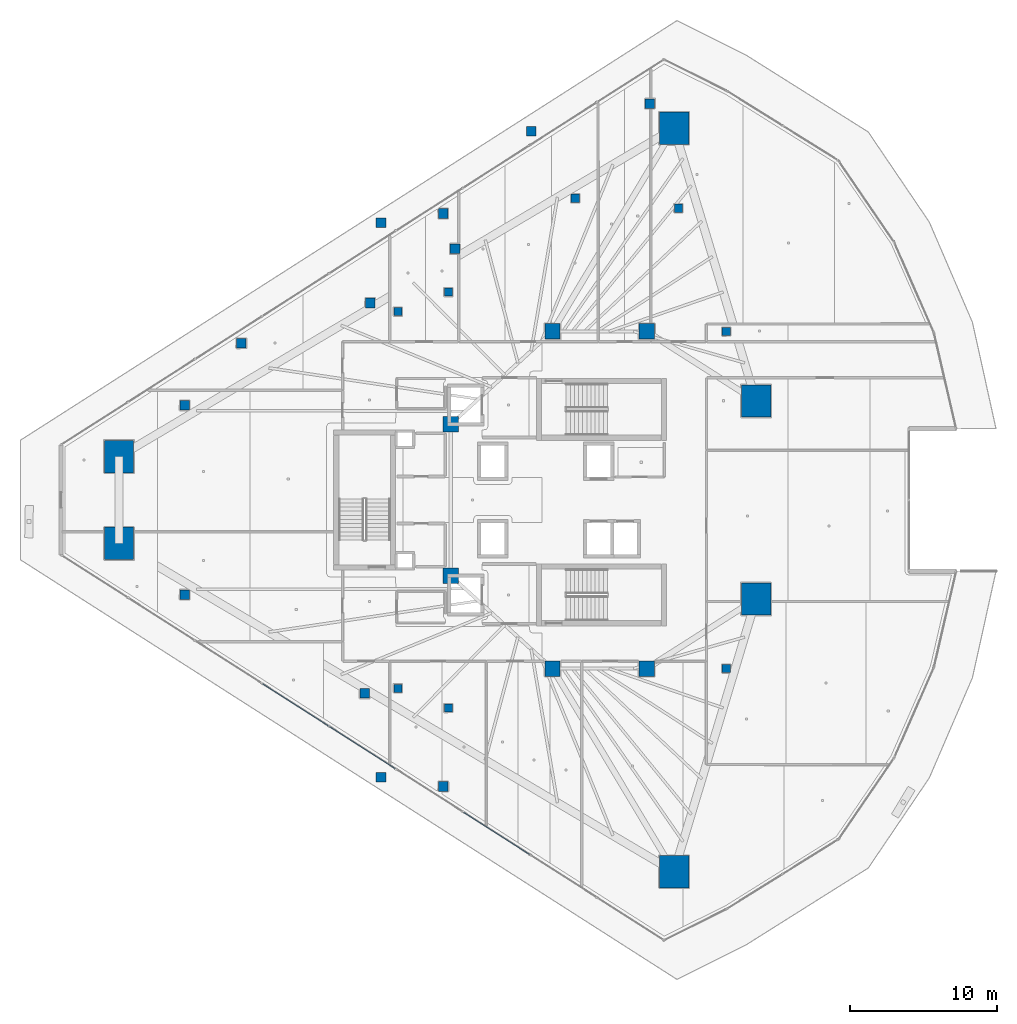
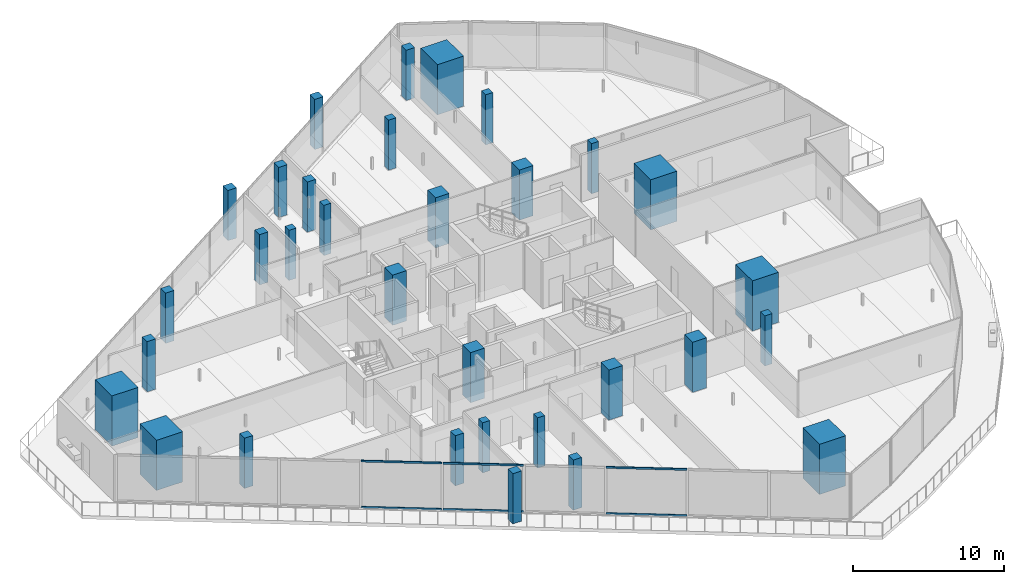
# One storey, part 1 of 38: 32 columns, 6 members, 1 element without a shape of its own.
"""IFC4 building model written with IfcOpenShell, lengths in metres."""

from ifc_helpers import new_model, si_unit, direction, frame, origin, origin_2d, place, context, subcontext, project, spatial, rectangle, hollow_rectangle, extrude, material, layer, layer_set, material_profile, profile_set, type_object, element, aggregate, save


model = new_model("IFC4")

# Units and contexts
model_context = context("Model", 3, precision=1e-05, world=origin(), true_north=direction((0.0, 1.0)))
body_context = subcontext(model_context, "Body", "Model", "MODEL_VIEW")
ifc_project = project(units=[si_unit("LENGTHUNIT", "METRE"), si_unit("AREAUNIT", "SQUARE_METRE"), si_unit("VOLUMEUNIT", "CUBIC_METRE"), si_unit("PLANEANGLEUNIT", "RADIAN"), si_unit("MASSUNIT", "GRAM", prefix="KILO")], contexts=[model_context])

# Site, building, storey
site_placement = place(None, origin())
site = spatial("IfcSite", under=ifc_project, at=site_placement, CompositionType="ELEMENT")
building_placement = place(site_placement, origin())
building = spatial("IfcBuilding", under=site, at=building_placement, Name="Qorvath Tower", CompositionType="ELEMENT")
storey_placement = place(building_placement, frame((0.0, 0.0, 146.25)))
storey = spatial("IfcBuildingStorey", under=building, at=storey_placement, Name="L33", CompositionType="ELEMENT", Elevation=146.25)

# Columns
ifc_material_1 = material(Name="Concrete C70/85", Category="concrete")
ifc_material_profile_1 = material_profile(ifc_material_1, rectangle(XDim=2.0, YDim=2.199951171875, at=origin_2d()), Name="MC 2200x2000")
ifc_profile_set_1 = profile_set([ifc_material_profile_1], Name="Concrete C70/85")
column_type_1 = type_object("IfcColumnType", Name="COL-MC2", PredefinedType="COLUMN", material=ifc_profile_set_1)
for number, where, z_axis, x_axis, name in (
    (1, (-53.04931640625, 2.95068359375, 0.0), (0.0, 0.0, 1.0), (1.0, 0.0, 0.0), "Composite Mega-Column MC1 L33"),
    (2, (-53.04931640625, -2.95068359375, 0.0), (0.0, 0.0, 1.0), (1.0, 0.0, 0.0), "Composite Mega-Column MC2 L33"),
    (3, (-15.34423828125, -25.24609375, 0.0), (0.0, 0.0, 1.0), (1.0, 0.0, 0.0), "Composite Mega-Column MC3 L33"),
    (4, (-9.770263671875, -6.721435546875, 0.0), (0.0, 0.0, 1.0), (1.0, 0.0, 0.0), "Composite Mega-Column MC4 L33"),
    (5, (-9.770263671875, 6.721435546875, 0.0), (0.0, 0.0, 1.0), (1.0, 0.0, 0.0), "Composite Mega-Column MC5 L33"),
    (6, (-15.34423828125, 25.24609375, 0.0), (0.0, 0.0, 1.0), (1.0, 0.0, 0.0), "Composite Mega-Column MC6 L33"),
):
    element("IfcColumn", number, at=place(storey_placement, frame(where, z_axis=z_axis, x_axis=x_axis)), inside=storey, type_object=column_type_1, Name=name, PredefinedType="COLUMN", context=body_context, shape_type="SweptSolid", body=[
        extrude(rectangle(XDim=2.0, YDim=2.199951171875, at=origin_2d()), origin(), (0.0, 0.0, 1.0), 4.050048828125),
    ])
ifc_material_2 = material(Name="Concrete C60/75", Category="concrete")
ifc_material_profile_2 = material_profile(ifc_material_2, rectangle(XDim=1.050048828125, YDim=1.050048828125, at=origin_2d()), Name="RC 1050x1050")
ifc_profile_set_2 = profile_set([ifc_material_profile_2], Name="Concrete C60/75")
column_type_2 = type_object("IfcColumnType", Name="COL-RC2", PredefinedType="COLUMN", material=ifc_profile_set_2)
for number, where, z_axis, x_axis, name in (
    (7, (-23.60009765625, 11.449951171875, 0.0), (0.0, 0.0, 1.0), (1.0, 0.0, 0.0), "Core Spine Column CC1 L33"),
    (8, (-17.199951171875, 11.449951171875, 0.0), (0.0, 0.0, 1.0), (1.0, 0.0, 0.0), "Core Spine Column CC2 L33"),
    (9, (-17.199951171875, -11.449951171875, 0.0), (0.0, 0.0, 1.0), (1.0, 0.0, 0.0), "Core Spine Column CC3 L33"),
    (10, (-23.60009765625, -11.449951171875, 0.0), (0.0, 0.0, 1.0), (1.0, 0.0, 0.0), "Core Spine Column CC4 L33"),
    (11, (-30.5, 5.14990234375, 0.0), (0.0, 0.0, 1.0), (1.0, 0.0, 0.0), "Core Spine Column CC5 L33"),
    (12, (-30.5, -5.14990234375, 0.0), (0.0, 0.0, 1.0), (1.0, 0.0, 0.0), "Core Spine Column CC6 L33"),
):
    element("IfcColumn", number, at=place(storey_placement, frame(where, z_axis=z_axis, x_axis=x_axis)), inside=storey, type_object=column_type_2, Name=name, PredefinedType="COLUMN", context=body_context, shape_type="SweptSolid", body=[
        extrude(rectangle(XDim=1.050048828125, YDim=1.050048828125, at=origin_2d()), origin(), (0.0, 0.0, 1.0), 4.050048828125),
    ])
ifc_material_3 = material(Name="Concrete C45/55", Category="concrete")
ifc_material_profile_3 = material_profile(ifc_material_3, rectangle(XDim=0.64990234375, YDim=0.64990234375, at=origin_2d()), Name="RC 650x650")
ifc_profile_set_3 = profile_set([ifc_material_profile_3], Name="Concrete C45/55")
column_type_3 = type_object("IfcColumnType", Name="COL-RC6", PredefinedType="COLUMN", material=ifc_profile_set_3)
for number, where, z_axis, x_axis, name in (
    (13, (-35.251708984375, 18.829345703125, 0.0), (0.0, 0.0, 1.0), (1.0, 0.0, 0.0), "Loggia Frame Pier Column LGC1 L33"),
    (14, (-35.251708984375, -18.829345703125, 0.0), (0.0, 0.0, 1.0), (1.0, 0.0, 0.0), "Loggia Frame Pier Column LGC2 L33"),
    (15, (-25.03759765625, 25.058837890625, 0.0), (0.0, 0.0, 1.0), (1.0, 0.0, 0.0), "Loggia Frame Pier Column LGC3 L33"),
    (16, (-31.01611328125, 19.46044921875, 0.0), (0.0, 0.0, 1.0), (1.0, 0.0, 0.0), "Loggia Frame Pier Column LGD1 L33"),
    (17, (-31.01611328125, -19.46044921875, 0.0), (0.0, 0.0, 1.0), (1.0, 0.0, 0.0), "Loggia Frame Pier Column LGD2 L33"),
    (18, (-44.736328125, 10.65234375, 0.0), (0.0, 0.0, 1.0), (1.0, 0.0, 0.0), "Loggia Frame Pier Column LGD3 L33"),
    (19, (-48.578369140625, 6.424560546875, 0.0), (0.0, 0.0, 1.0), (1.0, 0.0, 0.0), "Loggia Frame Pier Column LGE1 L33"),
    (20, (-48.578369140625, -6.424560546875, 0.0), (0.0, 0.0, 1.0), (1.0, 0.0, 0.0), "Loggia Frame Pier Column LGE2 L33"),
    (21, (-16.981201171875, 26.92919921875, 0.0), (0.0, 0.0, 1.0), (1.0, 0.0, 0.0), "Loggia Frame Pier Column LGE3 L33"),
    (22, (-35.980712890625, 13.380859375, 0.0), (0.0, 0.0, 1.0), (1.0, 0.0, 0.0), "Loggia Frame Pier Column LGF1 L33"),
    (23, (-36.36474609375, -13.135498046875, 0.0), (0.0, 0.0, 1.0), (1.0, 0.0, 0.0), "Loggia Frame Pier Column LGF2 L33"),
    (24, (-30.224853515625, 17.0595703125, 0.0), (0.0, 0.0, 1.0), (1.0, 0.0, 0.0), "Loggia Frame Pier Column LGF3 L33"),
):
    element("IfcColumn", number, at=place(storey_placement, frame(where, z_axis=z_axis, x_axis=x_axis)), inside=storey, type_object=column_type_3, Name=name, PredefinedType="COLUMN", context=body_context, shape_type="SweptSolid", body=[
        extrude(rectangle(XDim=0.64990234375, YDim=0.64990234375, at=origin_2d()), origin(), (0.0, 0.0, 1.0), 4.050048828125),
    ])
ifc_material_4 = material(Name="Concrete C45/55", Category="concrete")
ifc_material_profile_4 = material_profile(ifc_material_4, rectangle(XDim=0.550048828125, YDim=0.550048828125, at=origin_2d()), Name="RC 550x550")
ifc_profile_set_4 = profile_set([ifc_material_profile_4], Name="Concrete C45/55")
column_type_4 = type_object("IfcColumnType", Name="COL-RC7", PredefinedType="COLUMN", material=ifc_profile_set_4)
for number, where, z_axis, x_axis, name in (
    (25, (-34.104248046875, 12.79248046875, 0.0), (0.0, 0.0, 1.0), (1.0, 0.0, 0.0), "Loggia Frame Pier Column LGG1 L33"),
    (26, (-34.104248046875, -12.79248046875, 0.0), (0.0, 0.0, 1.0), (1.0, 0.0, 0.0), "Loggia Frame Pier Column LGG2 L33"),
    (27, (-22.05322265625, 20.494873046875, 0.0), (0.0, 0.0, 1.0), (1.0, 0.0, 0.0), "Loggia Frame Pier Column LGG3 L33"),
    (28, (-30.67724609375, 14.124267578125, 0.0), (0.0, 0.0, 1.0), (1.0, 0.0, 0.0), "Loggia Frame Pier Column LGH1 L33"),
    (29, (-30.67724609375, -14.124267578125, 0.0), (0.0, 0.0, 1.0), (1.0, 0.0, 0.0), "Loggia Frame Pier Column LGH2 L33"),
    (30, (-15.046142578125, 19.818115234375, 0.0), (0.0, 0.0, 1.0), (1.0, 0.0, 0.0), "Loggia Frame Pier Column LGH3 L33"),
    (31, (-11.800048828125, -11.449951171875, 0.0), (0.0, 0.0, 1.0), (1.0, 0.0, 0.0), "Central Slot Jamb Column SC1 L33"),
    (32, (-11.800048828125, 11.449951171875, 0.0), (0.0, 0.0, 1.0), (1.0, 0.0, 0.0), "Central Slot Jamb Column SC2 L33"),
):
    element("IfcColumn", number, at=place(storey_placement, frame(where, z_axis=z_axis, x_axis=x_axis)), inside=storey, type_object=column_type_4, Name=name, PredefinedType="COLUMN", context=body_context, shape_type="SweptSolid", body=[
        extrude(rectangle(XDim=0.550048828125, YDim=0.550048828125, at=origin_2d()), origin(), (0.0, 0.0, 1.0), 4.050048828125),
    ])

# Curtain wall, members
ifc_material_5 = material(Name="Anodised aluminium and triple low-E glass", Category="aluminium")
ifc_layer = layer(ifc_material_5, 0.179931640625)
ifc_layer_set = layer_set([ifc_layer], Name="CW-SYS-3")
curtain_wall_type = type_object("IfcCurtainWallType", Name="CW-SYS-3", PredefinedType="NOTDEFINED", material=ifc_layer_set)
curtain_wall_placement = place(storey_placement, origin())
curtain_wall = element("IfcCurtainWall", 33, at=curtain_wall_placement, inside=storey, type_object=curtain_wall_type, Name="Curtain Wall CW-3 CW-T-L33-2.1", PredefinedType="NOTDEFINED")
ifc_material_6 = material(Name="Anodised aluminium 6063-T6", Category="aluminium")
ifc_material_profile_5 = material_profile(ifc_material_6, hollow_rectangle(XDim=0.06494140625, YDim=0.159912109375, WallThickness=0.00341796875, InnerFilletRadius=0.00341796875, OuterFilletRadius=0.007080078125, at=origin_2d()), Name="CWT 160x65")
ifc_profile_set_5 = profile_set([ifc_material_profile_5], Name="Anodised aluminium 6063-T6")
member_type = type_object("IfcMemberType", Name="CWT-160", PredefinedType="USERDEFINED", material=ifc_profile_set_5)
member_1_placement = place(storey_placement, frame((-43.30517578125, -12.482666015625, 0.032470703125), z_axis=(0.84259533126, -0.5385472196, 0.0), x_axis=(0.5385472196, 0.84259533126, 0.0)))
member_1 = element("IfcMember", 34, at=member_1_placement, type_object=member_type, Name="CW-3 transom 4.1", ObjectType="TRANSOM", PredefinedType="USERDEFINED", context=body_context, shape_type="SweptSolid", body=[
    extrude(hollow_rectangle(XDim=0.06494140625, YDim=0.159912109375, WallThickness=0.00341796875, InnerFilletRadius=0.00341796875, OuterFilletRadius=0.007080078125, at=origin_2d()), origin(), (0.0, 0.0, 1.0), 5.335693359375),
])
member_2_placement = place(storey_placement, frame((-43.30517578125, -12.482666015625, 3.74755859375), z_axis=(0.84259533126, -0.5385472196, 0.0), x_axis=(0.5385472196, 0.84259533126, 0.0)))
member_2 = element("IfcMember", 35, at=member_2_placement, type_object=member_type, Name="CW-3 transom 4.2", ObjectType="TRANSOM", PredefinedType="USERDEFINED", context=body_context, shape_type="SweptSolid", body=[
    extrude(hollow_rectangle(XDim=0.06494140625, YDim=0.159912109375, WallThickness=0.00341796875, InnerFilletRadius=0.00341796875, OuterFilletRadius=0.007080078125, at=origin_2d()), origin(), (0.0, 0.0, 1.0), 5.335693359375),
])
member_3_placement = place(storey_placement, frame((-38.75439453125, -15.39111328125, 0.032470703125), z_axis=(0.842574568143, -0.53857970359, 0.0), x_axis=(0.53857970359, 0.842574568143, 0.0)))
member_3 = element("IfcMember", 36, at=member_3_placement, type_object=member_type, Name="CW-3 transom 5.1", ObjectType="TRANSOM", PredefinedType="USERDEFINED", context=body_context, shape_type="SweptSolid", body=[
    extrude(hollow_rectangle(XDim=0.06494140625, YDim=0.159912109375, WallThickness=0.00341796875, InnerFilletRadius=0.00341796875, OuterFilletRadius=0.007080078125, at=origin_2d()), origin(), (0.0, 0.0, 1.0), 5.3359375),
])
member_4_placement = place(storey_placement, frame((-38.75439453125, -15.39111328125, 3.74755859375), z_axis=(0.842574568143, -0.53857970359, 0.0), x_axis=(0.53857970359, 0.842574568143, 0.0)))
member_4 = element("IfcMember", 37, at=member_4_placement, type_object=member_type, Name="CW-3 transom 5.2", ObjectType="TRANSOM", PredefinedType="USERDEFINED", context=body_context, shape_type="SweptSolid", body=[
    extrude(hollow_rectangle(XDim=0.06494140625, YDim=0.159912109375, WallThickness=0.00341796875, InnerFilletRadius=0.00341796875, OuterFilletRadius=0.007080078125, at=origin_2d()), origin(), (0.0, 0.0, 1.0), 5.3359375),
])
member_5_placement = place(storey_placement, frame((-29.65283203125, -21.208251953125, 0.032470703125), z_axis=(0.842608601225, -0.538526457234, 0.0), x_axis=(0.538526457234, 0.842608601225, 0.0)))
member_5 = element("IfcMember", 38, at=member_5_placement, type_object=member_type, Name="CW-3 transom 7.1", ObjectType="TRANSOM", PredefinedType="USERDEFINED", context=body_context, shape_type="SweptSolid", body=[
    extrude(hollow_rectangle(XDim=0.06494140625, YDim=0.159912109375, WallThickness=0.00341796875, InnerFilletRadius=0.00341796875, OuterFilletRadius=0.007080078125, at=origin_2d()), origin(), (0.0, 0.0, 1.0), 5.3359375),
])
member_6_placement = place(storey_placement, frame((-29.65283203125, -21.208251953125, 3.74755859375), z_axis=(0.842608601225, -0.538526457234, 0.0), x_axis=(0.538526457234, 0.842608601225, 0.0)))
member_6 = element("IfcMember", 39, at=member_6_placement, type_object=member_type, Name="CW-3 transom 7.2", ObjectType="TRANSOM", PredefinedType="USERDEFINED", context=body_context, shape_type="SweptSolid", body=[
    extrude(hollow_rectangle(XDim=0.06494140625, YDim=0.159912109375, WallThickness=0.00341796875, InnerFilletRadius=0.00341796875, OuterFilletRadius=0.007080078125, at=origin_2d()), origin(), (0.0, 0.0, 1.0), 5.3359375),
])
aggregate(curtain_wall, [member_1, member_2, member_3, member_4, member_5, member_6])

save(model, "model.ifc")
